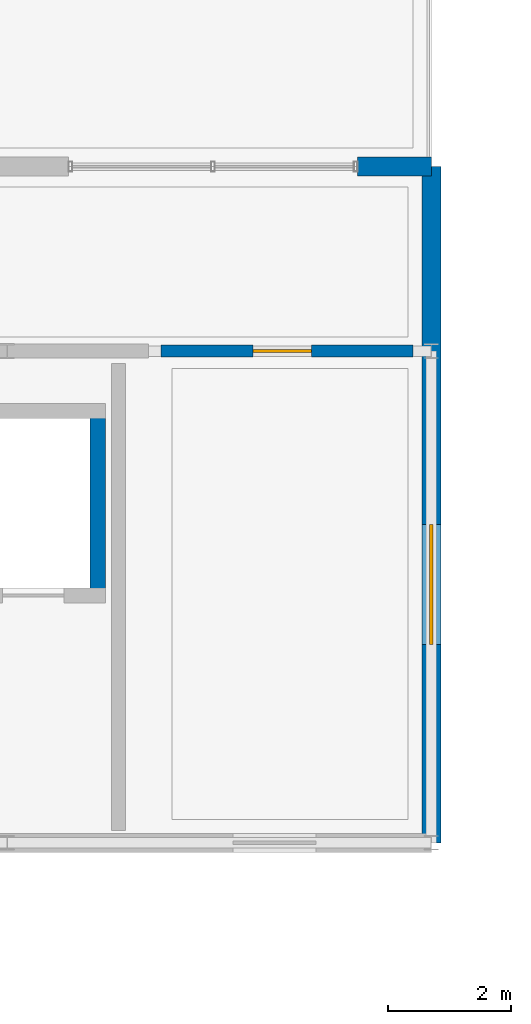
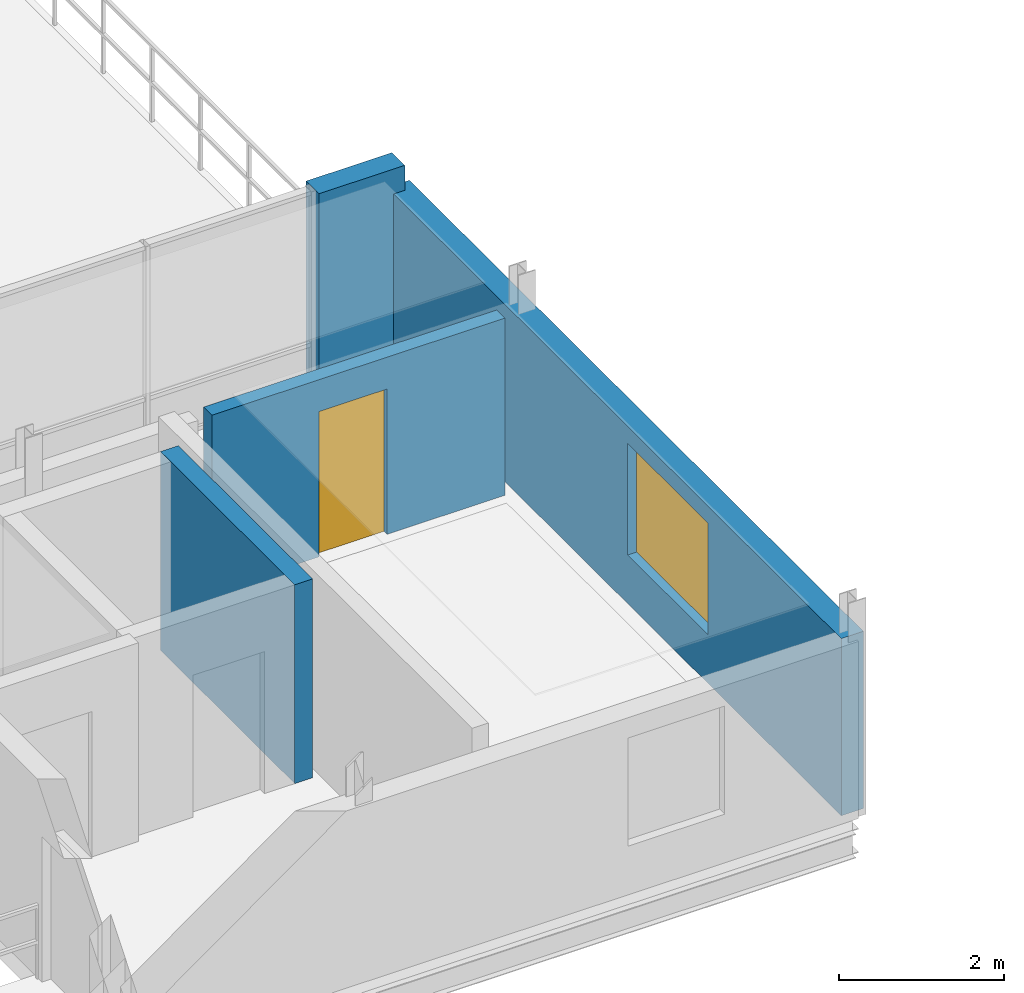
# One storey, part 69 of 109: 4 walls, 1 door, 1 window, 2 openings.
"""IFC4 building model written with IfcOpenShell, lengths in metres."""

from ifc_helpers import new_model, si_unit, direction, frame, frame_2d, origin, origin_with_axes, place, context, subcontext, project, spatial, rectangle, extrude, material, layer, layer_set, type_object, element, fill, save


model = new_model("IFC4")

# Units and contexts
model_context = context("Model", 3, precision=1e-05, world=origin(), true_north=direction((0.0, 1.0)))
body_context = subcontext(model_context, "Body", "Model", "MODEL_VIEW")
ifc_project = project(units=[si_unit("LENGTHUNIT", "METRE"), si_unit("AREAUNIT", "SQUARE_METRE"), si_unit("VOLUMEUNIT", "CUBIC_METRE"), si_unit("PLANEANGLEUNIT", "RADIAN"), si_unit("MASSUNIT", "GRAM", prefix="KILO")], contexts=[model_context])

# Site, building, storey
site_placement = place(None, origin())
site = spatial("IfcSite", under=ifc_project, at=site_placement, CompositionType="ELEMENT")
building_placement = place(site_placement, origin())
building = spatial("IfcBuilding", under=site, at=building_placement, Name="Zavelmont Quarter", CompositionType="ELEMENT")
storey_placement = place(building_placement, frame((0.0, 0.0, 8.0)))
storey = spatial("IfcBuildingStorey", under=building, at=storey_placement, Name="L02", CompositionType="ELEMENT", Elevation=8.0)

# Wall
ifc_material_1 = material(Name="Natural Belgian limestone", Category="masonry")
ifc_layer_1 = layer(ifc_material_1, 0.31005859375)
ifc_layer_set_1 = layer_set([ifc_layer_1], Name="Natural Belgian limestone")
wall_type_1 = type_object("IfcWallType", Name="EW06", PredefinedType="STANDARD", material=ifc_layer_set_1)
wall_1_placement = place(storey_placement, frame((19.5, 41.0, 0.0), z_axis=(0.0, 0.0, 1.0), x_axis=(1.0, 0.0, 0.0)))
element("IfcWall", 1, at=wall_1_placement, inside=storey, type_object=wall_type_1, Name="L02 exterior limestone wall EW06", PredefinedType="STANDARD", context=body_context, shape_type="SweptSolid", body=[
    extrude(rectangle(XDim=1.199951171875, YDim=0.31005859375, at=frame_2d((0.60009765625, 0.0))), origin(), (0.0, 0.0, 1.0), 2.989990234375),
])

# Wall, opening, window
wall_2_placement = place(storey_placement, frame((20.699951171875, 30.0, 0.0), z_axis=(0.0, 0.0, 1.0), x_axis=(0.0, 1.0, 0.0)))
wall_2 = element("IfcWall", 2, at=wall_2_placement, inside=storey, type_object=wall_type_1, Name="L02 exterior limestone wall EW06", PredefinedType="STANDARD", context=body_context, shape_type="SweptSolid", body=[
    extrude(rectangle(XDim=11.0, YDim=0.31005859375, at=frame_2d((5.5, 0.0))), origin(), (0.0, 0.0, 1.0), 2.6201171875),
])
opening_1_placement = place(wall_2_placement, frame((3.22509765625, 0.0, 0.719970703125)))
opening_1 = element("IfcOpeningElement", 3, at=opening_1_placement, cuts=wall_2, Name="Opening WN24", PredefinedType="OPENING", context=body_context, shape_type="SweptSolid", body=[
    extrude(rectangle(XDim=1.949951171875, YDim=1.64990234375, at=frame_2d((0.97509765625, 0.824951171875))), frame((0.0, 0.1669921875, 0.0), z_axis=(0.0, -1.0, 0.0), x_axis=(1.0, 0.0, 0.0)), (0.0, 0.0, 1.0), 0.333984375),
])
ifc_material_2 = material(Name="Double low-E insulated glazing in thermally broken aluminium frame", Category="aluminium")
window_type = type_object("IfcWindowType", Name="WN24", PartitioningType="SINGLE_PANEL", PredefinedType="WINDOW", material=ifc_material_2)
window_placement = place(opening_1_placement, origin_with_axes())
window = element("IfcWindow", 4, at=window_placement, inside=storey, type_object=window_type, Name="L02 window WN24", OverallHeight=1.64990234375, OverallWidth=1.949951171875, PartitioningType="SINGLE_PANEL", PredefinedType="WINDOW", context=body_context, shape_type="SweptSolid", body=[
    extrude(rectangle(XDim=1.949951171875, YDim=1.64990234375, at=frame_2d((0.97509765625, 0.824951171875))), frame((0.0, 0.030029296875, 0.0), z_axis=(0.0, -1.0, 0.0), x_axis=(1.0, 0.0, 0.0)), (0.0, 0.0, 1.0), 0.06005859375),
])
fill(opening_1, window)

# Wall, opening, door
ifc_material_3 = material(Name="Calcium-silicate blockwork and acoustic plaster", Category="masonry")
ifc_layer_2 = layer(ifc_material_3, 0.199951171875)
ifc_layer_set_2 = layer_set([ifc_layer_2], Name="Calcium-silicate blockwork and acoustic plaster")
wall_type_2 = type_object("IfcWallType", Name="IW01", PredefinedType="PARTITIONING", material=ifc_layer_set_2)
wall_3_placement = place(storey_placement, frame((16.300048828125, 38.0, 0.0), z_axis=(0.0, 0.0, 1.0), x_axis=(1.0, 0.0, 0.0)))
wall_3 = element("IfcWall", 5, at=wall_3_placement, inside=storey, type_object=wall_type_2, Name="L02 Interior partition IW01", PredefinedType="PARTITIONING", context=body_context, shape_type="SweptSolid", body=[
    extrude(rectangle(XDim=4.099853515625, YDim=0.199951171875, at=frame_2d((2.0498046875, 0.0))), origin(), (0.0, 0.0, 1.0), 2.6201171875),
])
opening_2_placement = place(wall_3_placement, frame((1.5, 0.0, 0.0)))
opening_2 = element("IfcOpeningElement", 6, at=opening_2_placement, cuts=wall_3, Name="Opening DR02", PredefinedType="OPENING", context=body_context, shape_type="SweptSolid", body=[
    extrude(rectangle(XDim=0.949951171875, YDim=2.14990234375, at=frame_2d((0.47509765625, 1.074951171875))), frame((0.0, 0.11181640625, 0.0), z_axis=(0.0, -1.0, 0.0), x_axis=(1.0, 0.0, 0.0)), (0.0, 0.0, 1.0), 0.223876953125),
])
ifc_material_4 = material(Name="Solid-core oak fire leaf in steel frame", Category="steel")
door_type = type_object("IfcDoorType", Name="DR02", OperationType="NOTDEFINED", PredefinedType="DOOR", material=ifc_material_4)
door_placement = place(opening_2_placement, origin_with_axes())
door = element("IfcDoor", 7, at=door_placement, inside=storey, type_object=door_type, Name="L02 door DR02", OperationType="SINGLE_SWING_RIGHT", OverallHeight=2.14990234375, OverallWidth=0.949951171875, PredefinedType="DOOR", context=body_context, shape_type="SweptSolid", body=[
    extrude(rectangle(XDim=0.949951171875, YDim=2.14990234375, at=frame_2d((0.47509765625, 1.074951171875))), frame((0.0, 0.02490234375, 0.0), z_axis=(0.0, -1.0, 0.0), x_axis=(1.0, 0.0, 0.0)), (0.0, 0.0, 1.0), 0.050048828125),
])
fill(opening_2, door)

# Wall
ifc_material_5 = material(Name="Concrete C40/50", Category="concrete")
ifc_layer_3 = layer(ifc_material_5, 0.25)
ifc_layer_set_3 = layer_set([ifc_layer_3], Name="Concrete C40/50")
wall_type_3 = type_object("IfcWallType", Name="SW02", PredefinedType="SHEAR", material=ifc_layer_set_3)
wall_4_placement = place(storey_placement, frame((15.27490234375, 33.89990234375, 0.0), z_axis=(0.0, 0.0, 1.0), x_axis=(0.0, 1.0, 0.0)))
element("IfcWall", 8, at=wall_4_placement, inside=storey, type_object=wall_type_3, Name="L02 Lift LF11 east shaft wall SW02", PredefinedType="SHEAR", context=body_context, shape_type="SweptSolid", body=[
    extrude(rectangle(XDim=3.25, YDim=0.25, at=frame_2d((1.625, 0.0))), origin(), (0.0, 0.0, 1.0), 2.93994140625),
])

save(model, "model.ifc")
